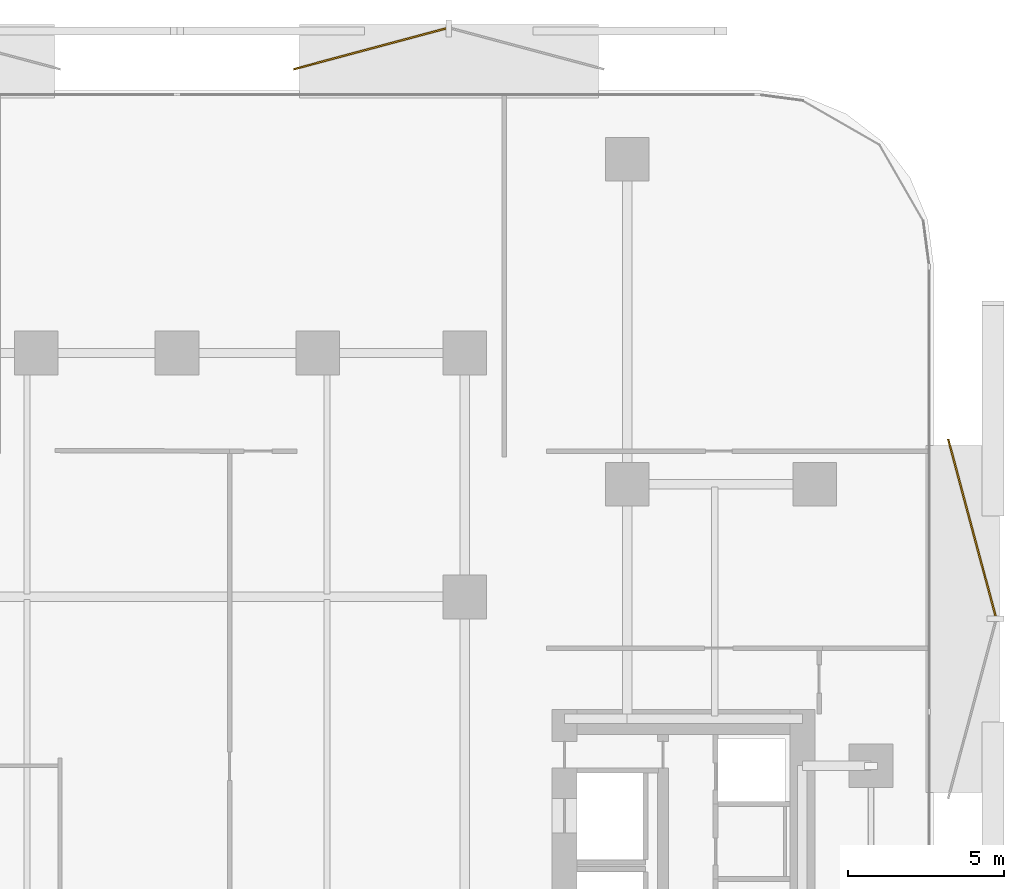
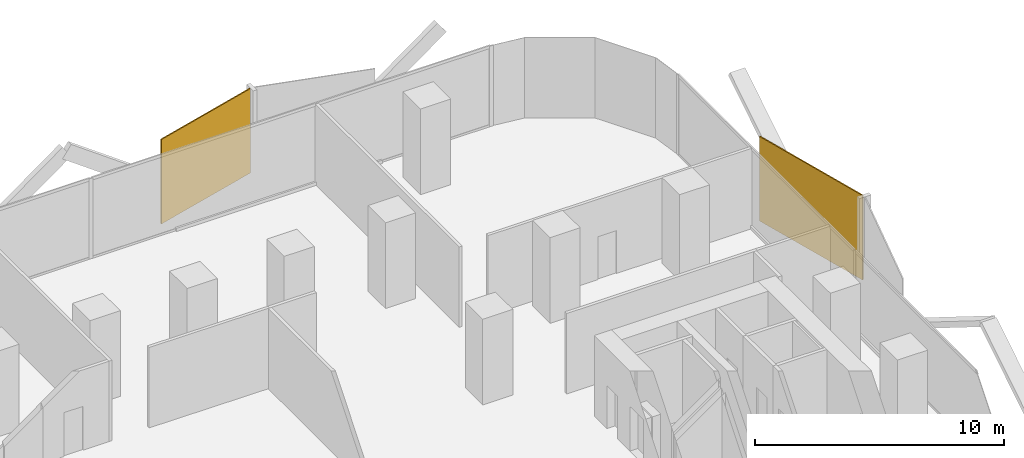
# One storey, part 15 of 15: 2 coverings.
"""IFC4 building model written with IfcOpenShell, lengths in metres."""

from ifc_helpers import new_model, si_unit, direction, frame, origin, origin_2d, place, context, subcontext, project, spatial, rectangle, extrude, material, layer, layer_set, type_object, element, save


model = new_model("IFC4")

# Units and contexts
model_context = context("Model", 3, precision=1e-05, world=origin(), true_north=direction((0.0, 1.0)))
body_context = subcontext(model_context, "Body", "Model", "MODEL_VIEW")
ifc_project = project(units=[si_unit("LENGTHUNIT", "METRE"), si_unit("AREAUNIT", "SQUARE_METRE"), si_unit("VOLUMEUNIT", "CUBIC_METRE"), si_unit("PLANEANGLEUNIT", "RADIAN"), si_unit("MASSUNIT", "GRAM", prefix="KILO")], contexts=[model_context])

# Site, building, storey
site_placement = place(None, origin())
site = spatial("IfcSite", under=ifc_project, at=site_placement, CompositionType="ELEMENT")
building_placement = place(site_placement, origin())
building = spatial("IfcBuilding", under=site, at=building_placement, Name="Khairoan Windgate Tower", CompositionType="ELEMENT")
storey_placement = place(building_placement, frame((0.0, 0.0, 72.199951171875)))
storey = spatial("IfcBuildingStorey", under=building, at=storey_placement, Name="L17", CompositionType="ELEMENT", Elevation=72.199951171875)

# Coverings
ifc_material = material(Name="Anodised Bronze Aluminium 6063-T6", Category="aluminium")
ifc_layer = layer(ifc_material, 0.054931640625, Name="Anodised Bronze Aluminium 6063-T6")
ifc_layer_set = layer_set([ifc_layer], Name="Anodised Bronze Aluminium 6063-T6")
covering_type = type_object("IfcCoveringType", Name="Perforated Bronze-Ceramic Folded Solar Screen Cladding BSC-1", PredefinedType="CLADDING", material=ifc_layer_set)
covering_1_placement = place(storey_placement, frame((6.169921875, 28.327392578125, -0.10009765625), z_axis=(0.0, 0.0, 1.0), x_axis=(0.965925826289, 0.258819045103, 0.0)))
element("IfcCovering", 1, at=covering_1_placement, inside=storey, type_object=covering_type, Name="L17 Folded Bronze Solar Screen Facet 94L", PredefinedType="CLADDING", context=body_context, shape_type="SweptSolid", body=[
    extrude(rectangle(XDim=5.04296875, YDim=0.054931640625, at=origin_2d()), origin(), (0.0, 0.0, 1.0), 4.139892578125),
])
covering_2_placement = place(storey_placement, frame((25.42236328125, 13.01318359375, -0.10009765625), z_axis=(0.0, 0.0, 1.0), x_axis=(0.258819045103, -0.965925826289, 0.0)))
element("IfcCovering", 2, at=covering_2_placement, inside=storey, type_object=covering_type, Name="L17 Folded Bronze Solar Screen Facet 95L", PredefinedType="CLADDING", context=body_context, shape_type="SweptSolid", body=[
    extrude(rectangle(XDim=5.85498046875, YDim=0.054931640625, at=origin_2d()), origin(), (0.0, 0.0, 1.0), 4.139892578125),
])

save(model, "model.ifc")
